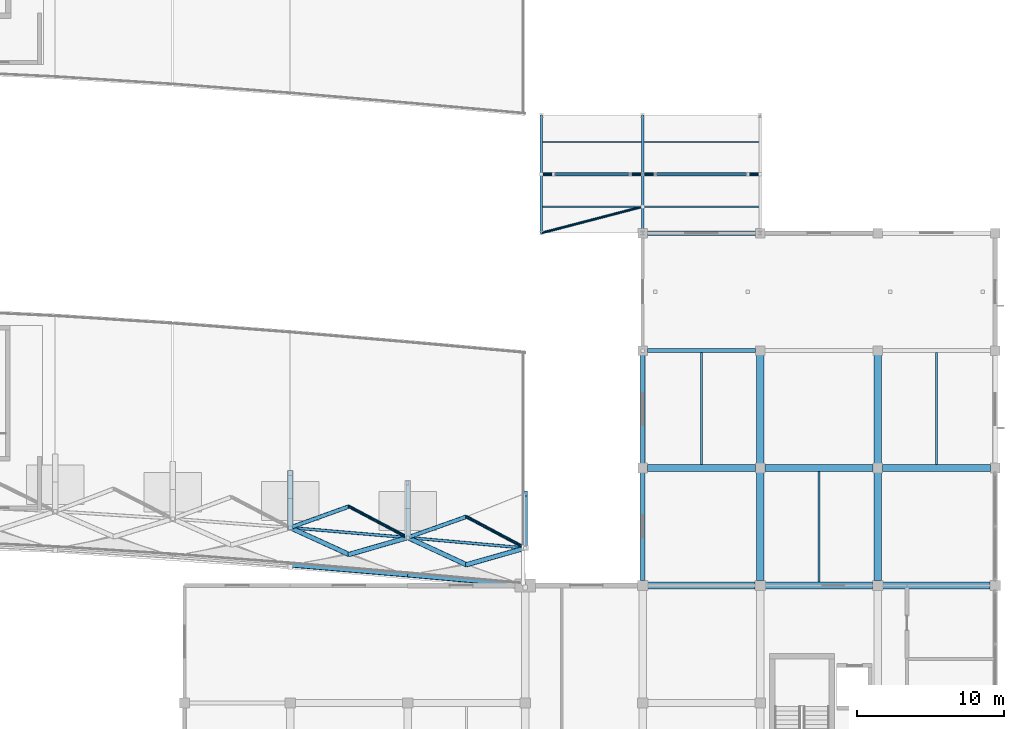
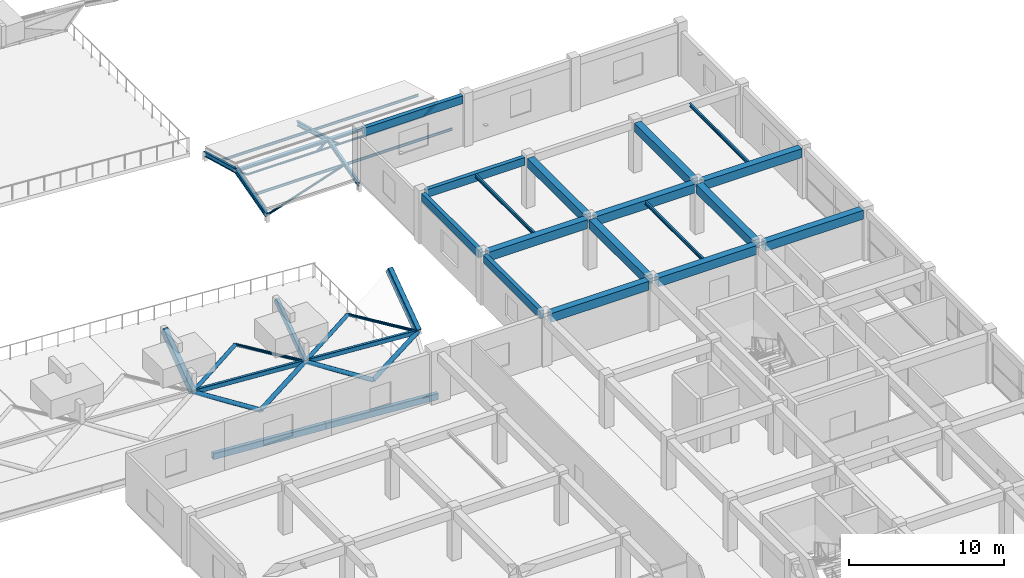
# One storey, part 24 of 67: 28 beams, 20 members.
"""IFC4 building model written with IfcOpenShell, lengths in metres."""

from ifc_helpers import new_model, si_unit, direction, frame, origin, origin_2d, place, context, subcontext, project, spatial, rectangle, hollow_rectangle, hollow_circle, i_section, extrude, material, material_profile, profile_set, type_object, element, save


model = new_model("IFC4")

# Units and contexts
model_context = context("Model", 3, precision=1e-05, world=origin(), true_north=direction((0.0, 1.0)))
body_context = subcontext(model_context, "Body", "Model", "MODEL_VIEW")
ifc_project = project(units=[si_unit("LENGTHUNIT", "METRE"), si_unit("AREAUNIT", "SQUARE_METRE"), si_unit("VOLUMEUNIT", "CUBIC_METRE"), si_unit("PLANEANGLEUNIT", "RADIAN"), si_unit("MASSUNIT", "GRAM", prefix="KILO")], contexts=[model_context])

# Site, building, storey
site_placement = place(None, origin())
site = spatial("IfcSite", under=ifc_project, at=site_placement, CompositionType="ELEMENT")
building_placement = place(site_placement, origin())
building = spatial("IfcBuilding", under=site, at=building_placement, Name="Kenh Van Central Station", CompositionType="ELEMENT")
storey_placement = place(building_placement, frame((0.0, 0.0, 10.800048828125)))
storey = spatial("IfcBuildingStorey", under=building, at=storey_placement, Name="L02", CompositionType="ELEMENT", Elevation=10.800048828125)

# Beams
ifc_material_1 = material(Name="Concrete C35/45", Category="concrete")
ifc_material_profile_1 = material_profile(ifc_material_1, rectangle(XDim=0.5, YDim=0.699951171875, at=origin_2d()), Name="RC 500x700")
ifc_profile_set_1 = profile_set([ifc_material_profile_1], Name="Concrete C35/45")
beam_type_1 = type_object("IfcBeamType", Name="BM-RC-500x700", PredefinedType="BEAM", material=ifc_profile_set_1)
for number, where, z_axis, x_axis, name in (
    (1, (152.340087890625, 64.0, 3.599853515625), (1.0, 0.0, 0.0), (0.0, 1.0, 0.0), "L02 beam 0986"),
    (2, (160.340087890625, 64.0, 3.599853515625), (1.0, 0.0, 0.0), (0.0, 1.0, 0.0), "L02 beam 0987"),
    (3, (168.340087890625, 64.0, 3.599853515625), (1.0, 0.0, 0.0), (0.0, 1.0, 0.0), "L02 beam 0988"),
):
    element("IfcBeam", number, at=place(storey_placement, frame(where, z_axis=z_axis, x_axis=x_axis)), inside=storey, type_object=beam_type_1, Name=name, PredefinedType="BEAM", context=body_context, shape_type="SweptSolid", body=[
        extrude(rectangle(XDim=0.5, YDim=0.699951171875, at=origin_2d()), origin(), (0.0, 0.0, 1.0), 7.31982421875),
    ])
for number, where, z_axis, x_axis, name in (
    (4, (152.31494140625, 72.0, 3.599853515625), (1.0, 0.0, 0.0), (0.0, 1.0, 0.0), "L02 beam 0989"),
    (5, (160.31494140625, 72.0, 3.599853515625), (1.0, 0.0, 0.0), (0.0, 1.0, 0.0), "L02 beam 0990"),
    (6, (168.31494140625, 72.0, 3.599853515625), (1.0, 0.0, 0.0), (0.0, 1.0, 0.0), "L02 beam 0991"),
):
    element("IfcBeam", number, at=place(storey_placement, frame(where, z_axis=z_axis, x_axis=x_axis)), inside=storey, type_object=beam_type_1, Name=name, PredefinedType="BEAM", context=body_context, shape_type="SweptSolid", body=[
        extrude(rectangle(XDim=0.5, YDim=0.699951171875, at=origin_2d()), origin(), (0.0, 0.0, 1.0), 7.3701171875),
    ])
beam_1_placement = place(storey_placement, frame((160.0, 64.340087890625, 3.599853515625), z_axis=(0.0, 1.0, 0.0), x_axis=(-1.0, 0.0, 0.0)))
element("IfcBeam", 7, at=beam_1_placement, inside=storey, type_object=beam_type_1, Name="L02 beam 1071", PredefinedType="BEAM", context=body_context, shape_type="SweptSolid", body=[
    extrude(rectangle(XDim=0.5, YDim=0.699951171875, at=origin_2d()), origin(), (0.0, 0.0, 1.0), 7.344970703125),
])
beam_2_placement = place(storey_placement, frame((160.0, 72.31494140625, 3.599853515625), z_axis=(0.0, 1.0, 0.0), x_axis=(-1.0, 0.0, 0.0)))
element("IfcBeam", 8, at=beam_2_placement, inside=storey, type_object=beam_type_1, Name="L02 beam 1072", PredefinedType="BEAM", context=body_context, shape_type="SweptSolid", body=[
    extrude(rectangle(XDim=0.5, YDim=0.699951171875, at=origin_2d()), origin(), (0.0, 0.0, 1.0), 7.3701171875),
])
beam_3_placement = place(storey_placement, frame((168.0, 64.340087890625, 3.599853515625), z_axis=(0.0, 1.0, 0.0), x_axis=(-1.0, 0.0, 0.0)))
element("IfcBeam", 9, at=beam_3_placement, inside=storey, type_object=beam_type_1, Name="L02 beam 1080", PredefinedType="BEAM", context=body_context, shape_type="SweptSolid", body=[
    extrude(rectangle(XDim=0.5, YDim=0.699951171875, at=origin_2d()), origin(), (0.0, 0.0, 1.0), 7.344970703125),
])
beam_4_placement = place(storey_placement, frame((168.0, 72.31494140625, 3.599853515625), z_axis=(0.0, 1.0, 0.0), x_axis=(-1.0, 0.0, 0.0)))
element("IfcBeam", 10, at=beam_4_placement, inside=storey, type_object=beam_type_1, Name="L02 beam 1081", PredefinedType="BEAM", context=body_context, shape_type="SweptSolid", body=[
    extrude(rectangle(XDim=0.5, YDim=0.699951171875, at=origin_2d()), origin(), (0.0, 0.0, 1.0), 7.3701171875),
])
ifc_material_2 = material(Name="Steel S355", Category="steel")
ifc_material_profile_2 = material_profile(ifc_material_2, i_section(OverallWidth=0.169921875, OverallDepth=0.360107421875, WebThickness=0.008056640625, FlangeThickness=0.0126953125, FilletRadius=0.01806640625, at=origin_2d()), Name="IPE 360")
ifc_profile_set_2 = profile_set([ifc_material_profile_2], Name="Steel S355")
beam_type_2 = type_object("IfcBeamType", Name="BM-STL-IPE360", PredefinedType="BEAM", material=ifc_profile_set_2)
for number, where, z_axis, x_axis, name in (
    (11, (145.10009765625, 88.0, -0.4345703125), (0.0, 0.964199374188, 0.265178367925), (-1.0, 0.0, 0.0), "L02 roof rafter 227"),
    (12, (145.10009765625, 92.0, 0.66552734375), (0.0, 0.964199374188, -0.265178367925), (-1.0, 0.0, 0.0), "L02 roof rafter 228"),
    (13, (152.0, 88.0, -0.4345703125), (0.0, 0.964199374188, 0.265178367925), (-1.0, 0.0, 0.0), "L02 roof rafter 229"),
    (14, (152.0, 92.0, 0.66552734375), (0.0, 0.964199374188, -0.265178367925), (-1.0, 0.0, 0.0), "L02 roof rafter 230"),
):
    element("IfcBeam", number, at=place(storey_placement, frame(where, z_axis=z_axis, x_axis=x_axis)), inside=storey, type_object=beam_type_2, Name=name, PredefinedType="BEAM", context=body_context, shape_type="SweptSolid", body=[
        extrude(i_section(OverallWidth=0.169921875, OverallDepth=0.360107421875, WebThickness=0.008056640625, FlangeThickness=0.0126953125, FilletRadius=0.01806640625, at=origin_2d()), origin(), (0.0, 0.0, 1.0), 4.1484375),
    ])
ifc_material_3 = material(Name="White fluoropolymer structural steel S355", Category="steel")
ifc_material_profile_3 = material_profile(ifc_material_3, hollow_rectangle(XDim=0.35009765625, YDim=0.60009765625, WallThickness=0.01611328125, InnerFilletRadius=0.01611328125, OuterFilletRadius=0.031982421875, at=origin_2d()), Name="RHS 600x350x16")
ifc_profile_set_3 = profile_set([ifc_material_profile_3], Name="White fluoropolymer structural steel S355")
beam_type_3 = type_object("IfcBeamType", Name="BM-VAULT-ARCH600", PredefinedType="BEAM", material=ifc_profile_set_3)
beam_5_placement = place(storey_placement, frame((128.0, 67.940673828125, 3.76171875), z_axis=(0.0, 0.81253825063, 0.582907875452), x_axis=(-1.0, 0.0, 0.0)))
element("IfcBeam", 15, at=beam_5_placement, inside=storey, type_object=beam_type_3, Name="Vault transverse arch 143", PredefinedType="BEAM", context=body_context, shape_type="SweptSolid", body=[
    extrude(hollow_rectangle(XDim=0.35009765625, YDim=0.60009765625, WallThickness=0.01611328125, InnerFilletRadius=0.01611328125, OuterFilletRadius=0.031982421875, at=origin_2d()), origin(), (0.0, 0.0, 1.0), 4.574951171875),
])
beam_6_placement = place(storey_placement, frame((144.0, 66.552490234375, 3.76171875), z_axis=(0.0, 0.812520116944, 0.58293315188), x_axis=(-1.0, 0.0, 0.0)))
element("IfcBeam", 16, at=beam_6_placement, inside=storey, type_object=beam_type_3, Name="Vault transverse arch 167", PredefinedType="BEAM", context=body_context, shape_type="SweptSolid", body=[
    extrude(hollow_rectangle(XDim=0.35009765625, YDim=0.60009765625, WallThickness=0.01611328125, InnerFilletRadius=0.01611328125, OuterFilletRadius=0.031982421875, at=origin_2d()), origin(), (0.0, 0.0, 1.0), 4.57470703125),
])
ifc_material_profile_4 = material_profile(ifc_material_3, hollow_rectangle(XDim=0.199951171875, YDim=0.35009765625, WallThickness=0.010009765625, InnerFilletRadius=0.010009765625, OuterFilletRadius=0.02001953125, at=origin_2d()), Name="RHS 350x200x10")
ifc_profile_set_4 = profile_set([ifc_material_profile_4], Name="White fluoropolymer structural steel S355")
beam_type_4 = type_object("IfcBeamType", Name="BM-VAULT-EAVE350", PredefinedType="BEAM", material=ifc_profile_set_4)
beam_7_placement = place(storey_placement, frame((128.0, 67.940673828125, 3.76171875), z_axis=(0.996446063383, -0.084233264025, 0.0), x_axis=(0.084233264025, 0.996446063383, 0.0)))
element("IfcBeam", 17, at=beam_7_placement, inside=storey, type_object=beam_type_4, Name="Vault portal header beam 37", PredefinedType="BEAM", context=body_context, shape_type="SweptSolid", body=[
    extrude(hollow_rectangle(XDim=0.199951171875, YDim=0.35009765625, WallThickness=0.010009765625, InnerFilletRadius=0.010009765625, OuterFilletRadius=0.02001953125, at=origin_2d()), origin(), (0.0, 0.0, 1.0), 8.028564453125),
])
beam_8_placement = place(storey_placement, frame((136.0, 67.264404296875, 3.76171875), z_axis=(0.996063818854, -0.088638979974, 0.0), x_axis=(0.088638979974, 0.996063818854, 0.0)))
element("IfcBeam", 18, at=beam_8_placement, inside=storey, type_object=beam_type_4, Name="Vault portal header beam 38", PredefinedType="BEAM", context=body_context, shape_type="SweptSolid", body=[
    extrude(hollow_rectangle(XDim=0.199951171875, YDim=0.35009765625, WallThickness=0.010009765625, InnerFilletRadius=0.010009765625, OuterFilletRadius=0.02001953125, at=origin_2d()), origin(), (0.0, 0.0, 1.0), 8.031494140625),
])
ifc_material_profile_5 = material_profile(ifc_material_3, hollow_rectangle(XDim=0.300048828125, YDim=0.5, WallThickness=0.01611328125, InnerFilletRadius=0.01611328125, OuterFilletRadius=0.031982421875, at=origin_2d()), Name="RHS 500x300x16")
ifc_profile_set_5 = profile_set([ifc_material_profile_5], Name="White fluoropolymer structural steel S355")
beam_type_5 = type_object("IfcBeamType", Name="BM-VAULT-RING500", PredefinedType="BEAM", material=ifc_profile_set_5)
beam_9_placement = place(storey_placement, frame((128.0, 65.388427734375, 0.260009765625), z_axis=(0.996446063383, -0.084233264025, 0.0), x_axis=(0.084233264025, 0.996446063383, 0.0)))
element("IfcBeam", 19, at=beam_9_placement, inside=storey, type_object=beam_type_5, Name="Vault springing girder 09", PredefinedType="BEAM", context=body_context, shape_type="SweptSolid", body=[
    extrude(hollow_rectangle(XDim=0.300048828125, YDim=0.5, WallThickness=0.01611328125, InnerFilletRadius=0.01611328125, OuterFilletRadius=0.031982421875, at=origin_2d()), origin(), (0.0, 0.0, 1.0), 8.028564453125),
])
beam_10_placement = place(storey_placement, frame((136.0, 64.712158203125, 0.260009765625), z_axis=(0.99606113461, -0.088669138478, 0.0), x_axis=(0.088669138478, 0.99606113461, 0.0)))
element("IfcBeam", 20, at=beam_10_placement, inside=storey, type_object=beam_type_5, Name="Vault springing girder 10", PredefinedType="BEAM", context=body_context, shape_type="SweptSolid", body=[
    extrude(hollow_rectangle(XDim=0.300048828125, YDim=0.5, WallThickness=0.01611328125, InnerFilletRadius=0.01611328125, OuterFilletRadius=0.031982421875, at=origin_2d()), origin(), (0.0, 0.0, 1.0), 8.03173828125),
])
ifc_material_profile_6 = material_profile(ifc_material_3, hollow_rectangle(XDim=0.25, YDim=0.449951171875, WallThickness=0.012451171875, InnerFilletRadius=0.012451171875, OuterFilletRadius=0.02490234375, at=origin_2d()), Name="RHS 450x250x12.5")
ifc_profile_set_6 = profile_set([ifc_material_profile_6], Name="White fluoropolymer structural steel S355")
beam_type_6 = type_object("IfcBeamType", Name="BM-VAULT-SUB450", PredefinedType="BEAM", material=ifc_profile_set_6)
beam_11_placement = place(storey_placement, frame((136.0, 67.264404296875, 3.76171875), z_axis=(0.0, 0.812520116944, 0.58293315188), x_axis=(-1.0, 0.0, 0.0)))
element("IfcBeam", 21, at=beam_11_placement, inside=storey, type_object=beam_type_6, Name="Vault transverse arch 155", PredefinedType="BEAM", context=body_context, shape_type="SweptSolid", body=[
    extrude(hollow_rectangle(XDim=0.25, YDim=0.449951171875, WallThickness=0.012451171875, InnerFilletRadius=0.012451171875, OuterFilletRadius=0.02490234375, at=origin_2d()), origin(), (0.0, 0.0, 1.0), 4.57470703125),
])
ifc_material_profile_7 = material_profile(ifc_material_2, i_section(OverallWidth=0.135009765625, OverallDepth=0.27001953125, WebThickness=0.006591796875, FlangeThickness=0.01025390625, FilletRadius=0.014892578125, at=origin_2d()), Name="IPE 270")
ifc_profile_set_7 = profile_set([ifc_material_profile_7], Name="Steel S355")
beam_type_7 = type_object("IfcBeamType", Name="JST-STL-IPE270", PredefinedType="JOIST", material=ifc_profile_set_7)
beam_12_placement = place(storey_placement, frame((156.0, 72.25, 3.81494140625), z_axis=(0.0, 1.0, 0.0), x_axis=(-1.0, 0.0, 0.0)))
element("IfcBeam", 22, at=beam_12_placement, inside=storey, type_object=beam_type_7, Name="L02 floor joist 1098", PredefinedType="JOIST", context=body_context, shape_type="SweptSolid", body=[
    extrude(i_section(OverallWidth=0.135009765625, OverallDepth=0.27001953125, WebThickness=0.006591796875, FlangeThickness=0.01025390625, FilletRadius=0.014892578125, at=origin_2d()), origin(), (0.0, 0.0, 1.0), 7.60009765625),
])
beam_13_placement = place(storey_placement, frame((164.0, 64.25, 3.81494140625), z_axis=(0.0, 1.0, 0.0), x_axis=(-1.0, 0.0, 0.0)))
element("IfcBeam", 23, at=beam_13_placement, inside=storey, type_object=beam_type_7, Name="L02 floor joist 1101", PredefinedType="JOIST", context=body_context, shape_type="SweptSolid", body=[
    extrude(i_section(OverallWidth=0.135009765625, OverallDepth=0.27001953125, WebThickness=0.006591796875, FlangeThickness=0.01025390625, FilletRadius=0.014892578125, at=origin_2d()), origin(), (0.0, 0.0, 1.0), 7.5),
])
beam_14_placement = place(storey_placement, frame((172.0, 72.25, 3.81494140625), z_axis=(0.0, 1.0, 0.0), x_axis=(-1.0, 0.0, 0.0)))
element("IfcBeam", 24, at=beam_14_placement, inside=storey, type_object=beam_type_7, Name="L02 floor joist 1104", PredefinedType="JOIST", context=body_context, shape_type="SweptSolid", body=[
    extrude(i_section(OverallWidth=0.135009765625, OverallDepth=0.27001953125, WebThickness=0.006591796875, FlangeThickness=0.01025390625, FilletRadius=0.014892578125, at=origin_2d()), origin(), (0.0, 0.0, 1.0), 7.60009765625),
])

# Members
ifc_material_profile_8 = material_profile(ifc_material_2, i_section(OverallWidth=0.10009765625, OverallDepth=0.199951171875, WebThickness=0.005615234375, FlangeThickness=0.008544921875, FilletRadius=0.011962890625, at=origin_2d()), Name="IPE 200")
ifc_profile_set_8 = profile_set([ifc_material_profile_8], Name="Steel S355")
member_type_1 = type_object("IfcMemberType", Name="MEM-PUR-IPE200", PredefinedType="PURLIN", material=ifc_profile_set_8)
member_1_placement = place(storey_placement, frame((145.10009765625, 89.800048828125, 0.060546875), z_axis=(1.0, 0.0, 0.0), x_axis=(0.0, 1.0, 0.0)))
element("IfcMember", 25, at=member_1_placement, inside=storey, type_object=member_type_1, Name="L02 roof purlin 107", PredefinedType="PURLIN", context=body_context, shape_type="SweptSolid", body=[
    extrude(i_section(OverallWidth=0.10009765625, OverallDepth=0.199951171875, WebThickness=0.005615234375, FlangeThickness=0.008544921875, FilletRadius=0.011962890625, at=origin_2d()), origin(), (0.0, 0.0, 1.0), 6.89990234375),
])
member_2_placement = place(storey_placement, frame((152.0, 89.800048828125, 0.060546875), z_axis=(1.0, 0.0, 0.0), x_axis=(0.0, 1.0, 0.0)))
element("IfcMember", 26, at=member_2_placement, inside=storey, type_object=member_type_1, Name="L02 roof purlin 108", PredefinedType="PURLIN", context=body_context, shape_type="SweptSolid", body=[
    extrude(i_section(OverallWidth=0.10009765625, OverallDepth=0.199951171875, WebThickness=0.005615234375, FlangeThickness=0.008544921875, FilletRadius=0.011962890625, at=origin_2d()), origin(), (0.0, 0.0, 1.0), 8.0),
])
member_3_placement = place(storey_placement, frame((145.10009765625, 94.199951171875, 0.060546875), z_axis=(1.0, 0.0, 0.0), x_axis=(0.0, 1.0, 0.0)))
element("IfcMember", 27, at=member_3_placement, inside=storey, type_object=member_type_1, Name="L02 roof purlin 109", PredefinedType="PURLIN", context=body_context, shape_type="SweptSolid", body=[
    extrude(i_section(OverallWidth=0.10009765625, OverallDepth=0.199951171875, WebThickness=0.005615234375, FlangeThickness=0.008544921875, FilletRadius=0.011962890625, at=origin_2d()), origin(), (0.0, 0.0, 1.0), 6.89990234375),
])
member_4_placement = place(storey_placement, frame((152.0, 94.199951171875, 0.060546875), z_axis=(1.0, 0.0, 0.0), x_axis=(0.0, 1.0, 0.0)))
element("IfcMember", 28, at=member_4_placement, inside=storey, type_object=member_type_1, Name="L02 roof purlin 110", PredefinedType="PURLIN", context=body_context, shape_type="SweptSolid", body=[
    extrude(i_section(OverallWidth=0.10009765625, OverallDepth=0.199951171875, WebThickness=0.005615234375, FlangeThickness=0.008544921875, FilletRadius=0.011962890625, at=origin_2d()), origin(), (0.0, 0.0, 1.0), 8.0),
])
ifc_material_profile_9 = material_profile(ifc_material_2, hollow_circle(Radius=0.084228515625, WallThickness=0.008056640625, at=origin_2d()), Name="CHS 168.3x8")
ifc_profile_set_9 = profile_set([ifc_material_profile_9], Name="Steel S355")
member_type_2 = type_object("IfcMemberType", Name="MEM-ROOF-BRC168", PredefinedType="BRACE", material=ifc_profile_set_9)
member_5_placement = place(storey_placement, frame((145.10009765625, 88.0, -0.4345703125), z_axis=(0.9652907028, 0.25182536097, 0.069266490173), x_axis=(-0.252431653251, 0.967614727274, 0.0)))
element("IfcMember", 29, at=member_5_placement, inside=storey, type_object=member_type_2, Name="L02 roof wind brace 078", PredefinedType="BRACE", context=body_context, shape_type="SweptSolid", body=[
    extrude(hollow_circle(Radius=0.084228515625, WallThickness=0.008056640625, at=origin_2d()), origin(), (0.0, 0.0, 1.0), 7.14794921875),
])
member_6_placement = place(storey_placement, frame((145.949951171875, 92.0, 0.045654296875), z_axis=(1.0, 0.0, 0.0), x_axis=(0.0, 1.0, 0.0)))
element("IfcMember", 30, at=member_6_placement, inside=storey, type_object=member_type_2, Name="L02 roof truss lower chord 079", PredefinedType="BRACE", context=body_context, shape_type="SweptSolid", body=[
    extrude(hollow_circle(Radius=0.084228515625, WallThickness=0.008056640625, at=origin_2d()), origin(), (0.0, 0.0, 1.0), 13.199951171875),
])
for number, where, z_axis, x_axis, name in (
    (31, (145.949951171875, 92.0, 0.045654296875), (-0.80792235235, 0.0, 0.589288955075), (0.0, -1.0, 0.0), "L02 roof truss web diagonal 080"),
    (32, (151.14990234375, 92.0, 0.045654296875), (0.808002927302, 0.0, 0.589178469966), (0.0, 1.0, 0.0), "L02 roof truss web diagonal 081"),
    (33, (152.85009765625, 92.0, 0.045654296875), (-0.808002927302, 0.0, 0.589178469966), (0.0, -1.0, 0.0), "L02 roof truss web diagonal 082"),
    (34, (159.14990234375, 92.0, 0.045654296875), (0.808002927302, 0.0, 0.589178469966), (0.0, 1.0, 0.0), "L02 roof truss web diagonal 083"),
):
    element("IfcMember", number, at=place(storey_placement, frame(where, z_axis=z_axis, x_axis=x_axis)), inside=storey, type_object=member_type_2, Name=name, PredefinedType="BRACE", context=body_context, shape_type="SweptSolid", body=[
        extrude(hollow_circle(Radius=0.084228515625, WallThickness=0.008056640625, at=origin_2d()), origin(), (0.0, 0.0, 1.0), 1.052001953125),
    ])
ifc_material_profile_10 = material_profile(ifc_material_2, i_section(OverallWidth=0.239990234375, OverallDepth=0.22998046875, WebThickness=0.007568359375, FlangeThickness=0.011962890625, FilletRadius=0.02099609375, at=origin_2d()), Name="HEA 240")
ifc_profile_set_10 = profile_set([ifc_material_profile_10], Name="Steel S355")
member_type_3 = type_object("IfcMemberType", Name="MEM-ROOF-HEA240", PredefinedType="CHORD", material=ifc_profile_set_10)
member_7_placement = place(storey_placement, frame((145.10009765625, 92.0, 0.66552734375), z_axis=(1.0, 0.0, 0.0), x_axis=(0.0, 1.0, 0.0)))
element("IfcMember", 35, at=member_7_placement, inside=storey, type_object=member_type_3, Name="L02 roof ridge chord 225", PredefinedType="CHORD", context=body_context, shape_type="SweptSolid", body=[
    extrude(i_section(OverallWidth=0.239990234375, OverallDepth=0.22998046875, WebThickness=0.007568359375, FlangeThickness=0.011962890625, FilletRadius=0.02099609375, at=origin_2d()), origin(), (0.0, 0.0, 1.0), 6.89990234375),
])
member_8_placement = place(storey_placement, frame((152.0, 92.0, 0.66552734375), z_axis=(1.0, 0.0, 0.0), x_axis=(0.0, 1.0, 0.0)))
element("IfcMember", 36, at=member_8_placement, inside=storey, type_object=member_type_3, Name="L02 roof ridge chord 226", PredefinedType="CHORD", context=body_context, shape_type="SweptSolid", body=[
    extrude(i_section(OverallWidth=0.239990234375, OverallDepth=0.22998046875, WebThickness=0.007568359375, FlangeThickness=0.011962890625, FilletRadius=0.02099609375, at=origin_2d()), origin(), (0.0, 0.0, 1.0), 8.0),
])
ifc_material_profile_11 = material_profile(ifc_material_3, hollow_circle(Radius=0.109619140625, WallThickness=0.008056640625, at=origin_2d()), Name="CHS 219.1x8")
ifc_profile_set_11 = profile_set([ifc_material_profile_11], Name="White fluoropolymer structural steel S355")
member_type_4 = type_object("IfcMemberType", Name="MEM-VAULT-BRC219", PredefinedType="BRACE", material=ifc_profile_set_11)
member_9_placement = place(storey_placement, frame((132.0, 69.381103515625, 5.215576171875), z_axis=(0.841515858601, -0.445308990117, -0.305861019163), x_axis=(0.467724120501, 0.883874508684, 0.0)))
element("IfcMember", 37, at=member_9_placement, inside=storey, type_object=member_type_4, Name="Vault diamond grid member 0588", PredefinedType="BRACE", context=body_context, shape_type="SweptSolid", body=[
    extrude(hollow_circle(Radius=0.109619140625, WallThickness=0.008056640625, at=origin_2d()), origin(), (0.0, 0.0, 1.0), 4.75341796875),
])
member_10_placement = place(storey_placement, frame((140.0, 68.682373046875, 5.215576171875), z_axis=(0.840475210041, -0.447528426049, -0.305482780505), x_axis=(0.469995330498, 0.882668901293, 0.0)))
element("IfcMember", 38, at=member_10_placement, inside=storey, type_object=member_type_4, Name="Vault diamond grid member 0636", PredefinedType="BRACE", context=body_context, shape_type="SweptSolid", body=[
    extrude(hollow_circle(Radius=0.109619140625, WallThickness=0.008056640625, at=origin_2d()), origin(), (0.0, 0.0, 1.0), 4.75927734375),
])
ifc_material_profile_12 = material_profile(ifc_material_3, hollow_circle(Radius=0.136474609375, WallThickness=0.010009765625, at=origin_2d()), Name="CHS 273x10")
ifc_profile_set_12 = profile_set([ifc_material_profile_12], Name="White fluoropolymer structural steel S355")
member_type_5 = type_object("IfcMemberType", Name="MEM-VAULT-CHD273", PredefinedType="CHORD", material=ifc_profile_set_12)
member_11_placement = place(storey_placement, frame((128.0, 67.940673828125, 3.76171875), z_axis=(0.890240903646, 0.320582356659, 0.323570836255), x_axis=(-0.338808939501, 0.940855197421, 0.0)))
element("IfcMember", 39, at=member_11_placement, inside=storey, type_object=member_type_5, Name="Vault diamond grid member 0562", PredefinedType="CHORD", context=body_context, shape_type="SweptSolid", body=[
    extrude(hollow_circle(Radius=0.136474609375, WallThickness=0.010009765625, at=origin_2d()), origin(), (0.0, 0.0, 1.0), 4.4931640625),
])
member_12_placement = place(storey_placement, frame((136.0, 67.264404296875, 3.76171875), z_axis=(0.8916598326, 0.316086444564, 0.324086566353), x_axis=(-0.33411974609, 0.942530633599, 0.0)))
element("IfcMember", 40, at=member_12_placement, inside=storey, type_object=member_type_5, Name="Vault diamond grid member 0610", PredefinedType="CHORD", context=body_context, shape_type="SweptSolid", body=[
    extrude(hollow_circle(Radius=0.136474609375, WallThickness=0.010009765625, at=origin_2d()), origin(), (0.0, 0.0, 1.0), 4.486083984375),
])
ifc_material_profile_13 = material_profile(ifc_material_3, hollow_circle(Radius=0.161865234375, WallThickness=0.010009765625, at=origin_2d()), Name="CHS 323.9x10")
ifc_profile_set_13 = profile_set([ifc_material_profile_13], Name="White fluoropolymer structural steel S355")
member_type_6 = type_object("IfcMemberType", Name="MEM-VAULT-CHD324", PredefinedType="CHORD", material=ifc_profile_set_13)
member_13_placement = place(storey_placement, frame((128.0, 67.940673828125, 3.76171875), z_axis=(0.846177372227, -0.386729502151, -0.366638987148), x_axis=(0.415675796673, 0.909512854258, 0.0)))
element("IfcMember", 41, at=member_13_placement, inside=storey, type_object=member_type_6, Name="Vault diamond grid member 0563", PredefinedType="CHORD", context=body_context, shape_type="SweptSolid", body=[
    extrude(hollow_circle(Radius=0.161865234375, WallThickness=0.010009765625, at=origin_2d()), origin(), (0.0, 0.0, 1.0), 4.72705078125),
])
member_14_placement = place(storey_placement, frame((132.0, 66.112548828125, 2.028564453125), z_axis=(0.887125266223, 0.255460022341, 0.384381241755), x_axis=(-0.276719121682, 0.960950845619, 0.0)))
element("IfcMember", 42, at=member_14_placement, inside=storey, type_object=member_type_6, Name="Vault diamond grid member 0585", PredefinedType="CHORD", context=body_context, shape_type="SweptSolid", body=[
    extrude(hollow_circle(Radius=0.161865234375, WallThickness=0.010009765625, at=origin_2d()), origin(), (0.0, 0.0, 1.0), 4.509033203125),
])
member_15_placement = place(storey_placement, frame((136.0, 67.264404296875, 3.76171875), z_axis=(0.844617261509, -0.39075920668, -0.365963009), x_axis=(0.419887022272, 0.907576381649, 0.0)))
element("IfcMember", 43, at=member_15_placement, inside=storey, type_object=member_type_6, Name="Vault diamond grid member 0611", PredefinedType="CHORD", context=body_context, shape_type="SweptSolid", body=[
    extrude(hollow_circle(Radius=0.161865234375, WallThickness=0.010009765625, at=origin_2d()), origin(), (0.0, 0.0, 1.0), 4.73583984375),
])
member_16_placement = place(storey_placement, frame((140.0, 65.413818359375, 2.028564453125), z_axis=(0.887784832266, 0.252723904888, 0.384667024186), x_axis=(-0.273790612729, 0.961789322244, 0.0)))
element("IfcMember", 44, at=member_16_placement, inside=storey, type_object=member_type_6, Name="Vault diamond grid member 0633", PredefinedType="CHORD", context=body_context, shape_type="SweptSolid", body=[
    extrude(hollow_circle(Radius=0.161865234375, WallThickness=0.010009765625, at=origin_2d()), origin(), (0.0, 0.0, 1.0), 4.505615234375),
])

# Beams
ifc_material_profile_14 = material_profile(ifc_material_1, rectangle(XDim=0.300048828125, YDim=0.6201171875, at=origin_2d()), Name="RC 300x620")
ifc_profile_set_14 = profile_set([ifc_material_profile_14], Name="Concrete C35/45")
beam_type_8 = type_object("IfcBeamType", Name="SPD-RC-300x620", PredefinedType="SPANDREL", material=ifc_profile_set_14)
for number, where, z_axis, x_axis, name in (
    (45, (152.31494140625, 80.0, 3.639892578125), (1.0, 0.0, 0.0), (0.0, 1.0, 0.0), "L02 beam 0992"),
    (46, (152.31494140625, 88.0, 3.669921875), (1.0, 0.0, 0.0), (0.0, 1.0, 0.0), "L02 beam 0995"),
):
    element("IfcBeam", number, at=place(storey_placement, frame(where, z_axis=z_axis, x_axis=x_axis)), inside=storey, type_object=beam_type_8, Name=name, PredefinedType="SPANDREL", context=body_context, shape_type="SweptSolid", body=[
        extrude(rectangle(XDim=0.300048828125, YDim=0.6201171875, at=origin_2d()), origin(), (0.0, 0.0, 1.0), 7.3701171875),
    ])
beam_15_placement = place(storey_placement, frame((152.0, 64.340087890625, 3.639892578125), z_axis=(0.0, 1.0, 0.0), x_axis=(-1.0, 0.0, 0.0)))
element("IfcBeam", 47, at=beam_15_placement, inside=storey, type_object=beam_type_8, Name="L02 beam 1062", PredefinedType="SPANDREL", context=body_context, shape_type="SweptSolid", body=[
    extrude(rectangle(XDim=0.300048828125, YDim=0.6201171875, at=origin_2d()), origin(), (0.0, 0.0, 1.0), 7.344970703125),
])
beam_16_placement = place(storey_placement, frame((152.0, 72.31494140625, 3.639892578125), z_axis=(0.0, 1.0, 0.0), x_axis=(-1.0, 0.0, 0.0)))
element("IfcBeam", 48, at=beam_16_placement, inside=storey, type_object=beam_type_8, Name="L02 beam 1063", PredefinedType="SPANDREL", context=body_context, shape_type="SweptSolid", body=[
    extrude(rectangle(XDim=0.300048828125, YDim=0.6201171875, at=origin_2d()), origin(), (0.0, 0.0, 1.0), 7.3701171875),
])

save(model, "model.ifc")
